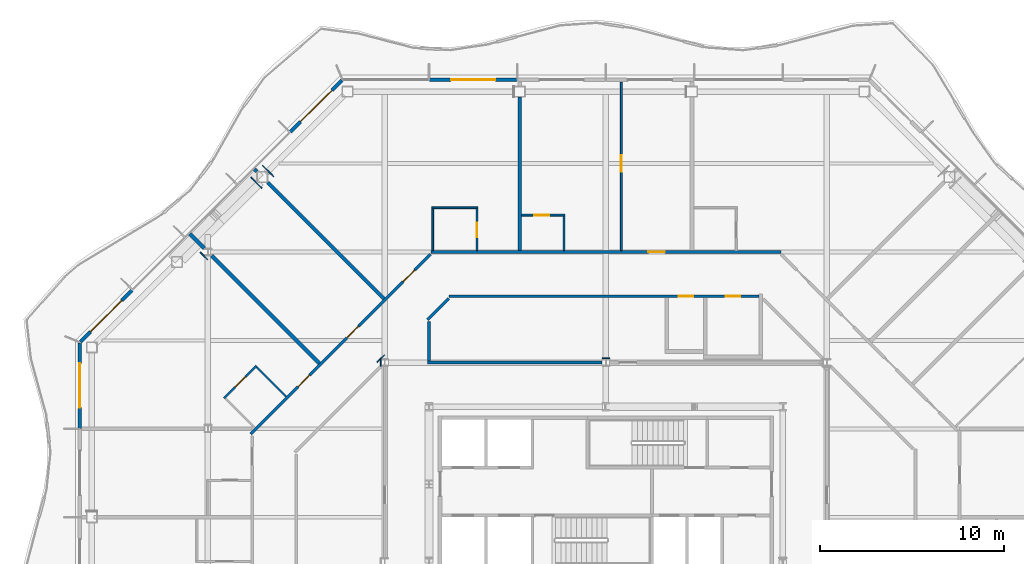
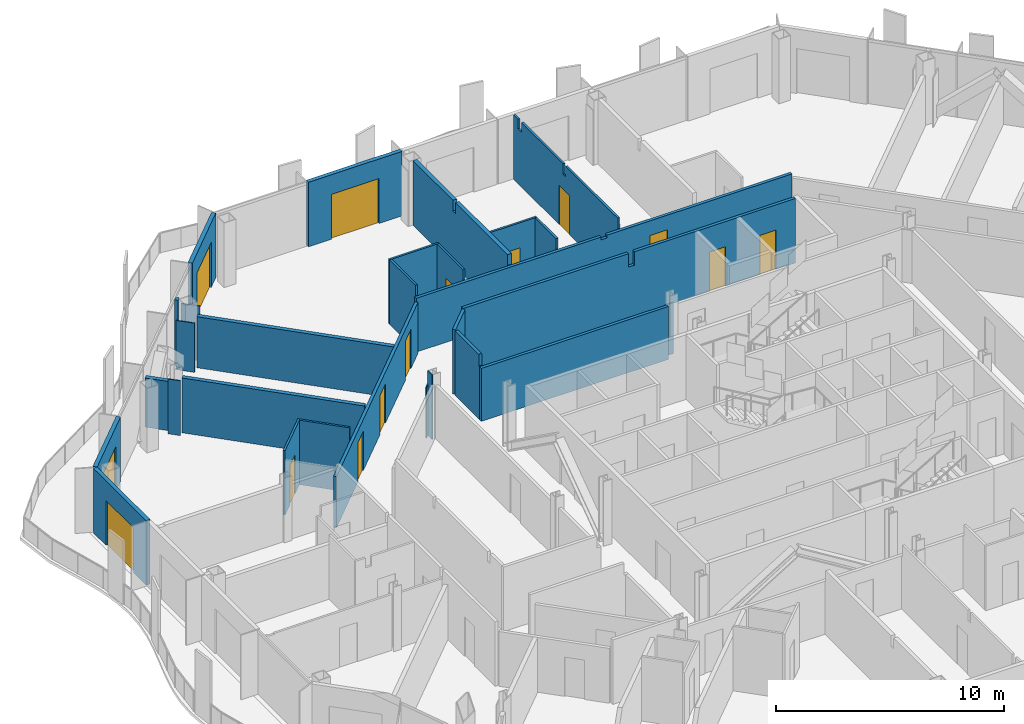
# One storey, part 12 of 21: 29 walls, 14 doors, 14 openings.
"""IFC4 building model written with IfcOpenShell, lengths in metres."""

from ifc_helpers import new_model, si_unit, direction, frame, frame_2d, origin, place, context, subcontext, project, spatial, polyline, rectangle, outline, extrude, material, layer, layer_set, type_object, element, fill, save


model = new_model("IFC4")

# Units and contexts
model_context = context("Model", 3, precision=1e-05, world=origin(), true_north=direction((0.0, 1.0)))
body_context = subcontext(model_context, "Body", "Model", "MODEL_VIEW")
ifc_project = project(units=[si_unit("LENGTHUNIT", "METRE"), si_unit("AREAUNIT", "SQUARE_METRE"), si_unit("VOLUMEUNIT", "CUBIC_METRE"), si_unit("PLANEANGLEUNIT", "RADIAN"), si_unit("MASSUNIT", "GRAM", prefix="KILO")], contexts=[model_context])

# Site, building, storey
site_placement = place(None, origin())
site = spatial("IfcSite", under=ifc_project, at=site_placement, CompositionType="ELEMENT")
building_placement = place(site_placement, origin())
building = spatial("IfcBuilding", under=site, at=building_placement, Name="Cairn Pilgrim Tower", CompositionType="ELEMENT")
storey_placement = place(building_placement, frame((0.0, 0.0, 154.199951171875)))
storey = spatial("IfcBuildingStorey", under=building, at=storey_placement, Name="L38", CompositionType="ELEMENT", Elevation=154.199951171875)

# Wall, opening, door
ifc_material_1 = material(Name="Bronze anodised aluminium insulated sandwich panel with mineral wool fill", Category="aluminium")
ifc_layer_1 = layer(ifc_material_1, 0.199951171875)
ifc_layer_set_1 = layer_set([ifc_layer_1], Name="BRONZE INFILL FRAME WALL 200")
wall_type_1 = type_object("IfcWallType", Name="BRONZE INFILL FRAME WALL 200", PredefinedType="NOTDEFINED", material=ifc_layer_set_1)
wall_1_placement = place(storey_placement, frame((2.3701171875, 28.550048828125, 0.0), z_axis=(0.0, 0.0, 1.0), x_axis=(-1.0, 0.0, 0.0)))
wall_1 = element("IfcWall", 1, at=wall_1_placement, inside=storey, type_object=wall_type_1, Name="Bronze infill frame wall IW-N5", PredefinedType="NOTDEFINED", context=body_context, shape_type="SweptSolid", body=[
    extrude(rectangle(XDim=4.740234375, YDim=0.199951171875, at=frame_2d((2.3701171875, 0.0))), origin(), (0.0, 0.0, 1.0), 3.449951171875),
])
opening_1_placement = place(wall_1_placement, frame((1.169677734375, 0.0, 0.0)))
opening_1 = element("IfcOpeningElement", 2, at=opening_1_placement, cuts=wall_1, Name="Opening 3811B", PredefinedType="OPENING", context=body_context, shape_type="SweptSolid", body=[
    extrude(rectangle(XDim=2.39990234375, YDim=2.39990234375, at=frame_2d((1.199951171875, 1.199951171875))), frame((0.0, 0.10986328125, 0.0), z_axis=(0.0, -1.0, 0.0), x_axis=(1.0, 0.0, 0.0)), (0.0, 0.0, 1.0), 0.219970703125),
])
ifc_material_2 = material(Name="Bronze anodised aluminium frame with tinted low-E glass", Category="aluminium")
door_type_1 = type_object("IfcDoorType", Name="BALCONY SLIDING DOOR 2400x2400", OperationType="DOUBLE_DOOR_SLIDING", PredefinedType="DOOR", material=ifc_material_2)
door_1_placement = place(opening_1_placement, origin())
door_1 = element("IfcDoor", 3, at=door_1_placement, inside=storey, type_object=door_type_1, Name="Balcony sliding door 3811B", OperationType="SINGLE_SWING_LEFT", OverallHeight=2.39990234375, OverallWidth=2.39990234375, PredefinedType="DOOR", context=body_context, shape_type="SweptSolid", body=[
    extrude(rectangle(XDim=2.39990234375, YDim=2.39990234375, at=frame_2d((1.199951171875, 1.199951171875))), frame((0.0, 0.02490234375, 0.0), z_axis=(0.0, -1.0, 0.0), x_axis=(1.0, 0.0, 0.0)), (0.0, 0.0, 1.0), 0.050048828125),
])
fill(opening_1, door_1)

wall_2_placement = place(storey_placement, frame((-7.124755859375, 28.521728515625, 0.0), z_axis=(0.0, 0.0, 1.0), x_axis=(-0.707106781187, -0.707106781187, 0.0)))
wall_2 = element("IfcWall", 4, at=wall_2_placement, inside=storey, type_object=wall_type_1, Name="Bronze infill frame wall IW-NW1", PredefinedType="NOTDEFINED", context=body_context, shape_type="SweptSolid", body=[
    extrude(rectangle(XDim=3.961669921875, YDim=0.199951171875, at=frame_2d((1.98095703125, 0.0))), origin(), (0.0, 0.0, 1.0), 3.449951171875),
])
opening_2_placement = place(wall_2_placement, frame((0.775390625, 0.0, 0.0)))
opening_2 = element("IfcOpeningElement", 5, at=opening_2_placement, cuts=wall_2, Name="Opening 3811B2", PredefinedType="OPENING", context=body_context, shape_type="SweptSolid", body=[
    extrude(rectangle(XDim=2.39990234375, YDim=2.39990234375, at=frame_2d((1.199951171875, 1.199951171875))), frame((0.0, 0.10986328125, 0.0), z_axis=(0.0, -1.0, 0.0), x_axis=(1.0, 0.0, 0.0)), (0.0, 0.0, 1.0), 0.219970703125),
])
door_2_placement = place(opening_2_placement, origin())
door_2 = element("IfcDoor", 6, at=door_2_placement, inside=storey, type_object=door_type_1, Name="Balcony sliding door 3811B2", OperationType="SINGLE_SWING_LEFT", OverallHeight=2.39990234375, OverallWidth=2.39990234375, PredefinedType="DOOR", context=body_context, shape_type="SweptSolid", body=[
    extrude(rectangle(XDim=2.39990234375, YDim=2.39990234375, at=frame_2d((1.199951171875, 1.199951171875))), frame((0.0, 0.02490234375, 0.0), z_axis=(0.0, -1.0, 0.0), x_axis=(1.0, 0.0, 0.0)), (0.0, 0.0, 1.0), 0.050048828125),
])
fill(opening_2, door_2)

wall_3_placement = place(storey_placement, frame((-18.5205078125, 17.1259765625, 0.0), z_axis=(0.0, 0.0, 1.0), x_axis=(-0.707106781187, -0.707106781187, 0.0)))
wall_3 = element("IfcWall", 7, at=wall_3_placement, inside=storey, type_object=wall_type_1, Name="Bronze infill frame wall IW-NW5", PredefinedType="NOTDEFINED", context=body_context, shape_type="SweptSolid", body=[
    extrude(rectangle(XDim=3.961669921875, YDim=0.199951171875, at=frame_2d((1.98095703125, 0.0))), origin(), (0.0, 0.0, 1.0), 3.449951171875),
])
opening_3_placement = place(wall_3_placement, frame((0.785888671875, 0.0, 0.0)))
opening_3 = element("IfcOpeningElement", 8, at=opening_3_placement, cuts=wall_3, Name="Opening 3813B2", PredefinedType="OPENING", context=body_context, shape_type="SweptSolid", body=[
    extrude(rectangle(XDim=2.39990234375, YDim=2.39990234375, at=frame_2d((1.199951171875, 1.199951171875))), frame((0.0, 0.10986328125, 0.0), z_axis=(0.0, -1.0, 0.0), x_axis=(1.0, 0.0, 0.0)), (0.0, 0.0, 1.0), 0.219970703125),
])
door_3_placement = place(opening_3_placement, origin())
door_3 = element("IfcDoor", 9, at=door_3_placement, inside=storey, type_object=door_type_1, Name="Balcony sliding door 3813B2", OperationType="SINGLE_SWING_LEFT", OverallHeight=2.39990234375, OverallWidth=2.39990234375, PredefinedType="DOOR", context=body_context, shape_type="SweptSolid", body=[
    extrude(rectangle(XDim=2.39990234375, YDim=2.39990234375, at=frame_2d((1.199951171875, 1.199951171875))), frame((0.0, 0.02490234375, 0.0), z_axis=(0.0, -1.0, 0.0), x_axis=(1.0, 0.0, 0.0)), (0.0, 0.0, 1.0), 0.050048828125),
])
fill(opening_3, door_3)

wall_4_placement = place(storey_placement, frame((-21.35009765625, 14.25634765625, 0.0), z_axis=(0.0, 0.0, 1.0), x_axis=(0.0, -1.0, 0.0)))
wall_4 = element("IfcWall", 10, at=wall_4_placement, inside=storey, type_object=wall_type_1, Name="Bronze infill frame wall IW-W1", PredefinedType="NOTDEFINED", context=body_context, shape_type="SweptSolid", body=[
    extrude(rectangle(XDim=4.62646484375, YDim=0.199951171875, at=frame_2d((2.313232421875, 0.0))), origin(), (0.0, 0.0, 1.0), 3.449951171875),
])
opening_4_placement = place(wall_4_placement, frame((1.1083984375, 0.0, 0.0)))
opening_4 = element("IfcOpeningElement", 11, at=opening_4_placement, cuts=wall_4, Name="Opening 3813B", PredefinedType="OPENING", context=body_context, shape_type="SweptSolid", body=[
    extrude(rectangle(XDim=2.39990234375, YDim=2.39990234375, at=frame_2d((1.199951171875, 1.199951171875))), frame((0.0, 0.10986328125, 0.0), z_axis=(0.0, -1.0, 0.0), x_axis=(1.0, 0.0, 0.0)), (0.0, 0.0, 1.0), 0.219970703125),
])
door_4_placement = place(opening_4_placement, origin())
door_4 = element("IfcDoor", 12, at=door_4_placement, inside=storey, type_object=door_type_1, Name="Balcony sliding door 3813B", OperationType="SINGLE_SWING_LEFT", OverallHeight=2.39990234375, OverallWidth=2.39990234375, PredefinedType="DOOR", context=body_context, shape_type="SweptSolid", body=[
    extrude(rectangle(XDim=2.39990234375, YDim=2.39990234375, at=frame_2d((1.199951171875, 1.199951171875))), frame((0.0, 0.02490234375, 0.0), z_axis=(0.0, -1.0, 0.0), x_axis=(1.0, 0.0, 0.0)), (0.0, 0.0, 1.0), 0.050048828125),
])
fill(opening_4, door_4)

ifc_material_3 = material(Name="Gypsum partition")
ifc_layer_2 = layer(ifc_material_3, 0.10009765625)
ifc_layer_set_2 = layer_set([ifc_layer_2], Name="PARTITION 100 DRYWALL")
wall_type_2 = type_object("IfcWallType", Name="PARTITION 100 DRYWALL", PredefinedType="PARTITIONING", material=ifc_layer_set_2)
wall_5_placement = place(storey_placement, frame((-13.5263671875, 11.26171875, 0.0), z_axis=(0.0, 0.0, 1.0), x_axis=(0.707106781187, 0.707106781187, 0.0)))
wall_5 = element("IfcWall", 13, at=wall_5_placement, inside=storey, type_object=wall_type_2, Name="PARTITION W076", PredefinedType="PARTITIONING", context=body_context, shape_type="SweptSolid", body=[
    extrude(rectangle(XDim=2.499755859375, YDim=0.10009765625, at=frame_2d((1.25, 0.0))), origin(), (0.0, 0.0, 1.0), 3.449951171875),
])
opening_5_placement = place(wall_5_placement, frame((0.849853515625, 0.0, 0.0)))
opening_5 = element("IfcOpeningElement", 14, at=opening_5_placement, cuts=wall_5, Name="Opening 3813A", PredefinedType="OPENING", context=body_context, shape_type="SweptSolid", body=[
    extrude(rectangle(XDim=0.800048828125, YDim=2.10009765625, at=frame_2d((0.39990234375, 1.050048828125))), frame((0.0, 0.06005859375, 0.0), z_axis=(0.0, -1.0, 0.0), x_axis=(1.0, 0.0, 0.0)), (0.0, 0.0, 1.0), 0.1201171875),
])
ifc_material_4 = material(Name="Timber door leaf", Category="wood")
door_type_2 = type_object("IfcDoorType", Name="WC DOOR 800x2100", OperationType="NOTDEFINED", PredefinedType="DOOR", material=ifc_material_4)
door_5_placement = place(opening_5_placement, origin())
door_5 = element("IfcDoor", 15, at=door_5_placement, inside=storey, type_object=door_type_2, Name="DOOR 3813A", OperationType="SINGLE_SWING_RIGHT", OverallHeight=2.10009765625, OverallWidth=0.800048828125, PredefinedType="DOOR", context=body_context, shape_type="SweptSolid", body=[
    extrude(rectangle(XDim=0.800048828125, YDim=2.10009765625, at=frame_2d((0.39990234375, 1.050048828125))), frame((0.0, 0.02490234375, 0.0), z_axis=(0.0, -1.0, 0.0), x_axis=(1.0, 0.0, 0.0)), (0.0, 0.0, 1.0), 0.050048828125),
])
fill(opening_5, door_5)

# Walls
wall_6_placement = place(storey_placement, frame((-10.14990234375, 11.35009765625, 0.0), z_axis=(0.0, 0.0, 1.0), x_axis=(-0.707160441348, 0.707053116953, 0.0)))
element("IfcWall", 16, at=wall_6_placement, inside=storey, type_object=wall_type_2, Name="PARTITION W077", PredefinedType="PARTITIONING", context=body_context, shape_type="SweptSolid", body=[
    extrude(rectangle(XDim=2.27490234375, YDim=0.10009765625, at=frame_2d((1.137451171875, 0.0))), origin(), (0.0, 0.0, 1.0), 3.449951171875),
])
wall_7_placement = place(storey_placement, frame((-2.194091796875, 19.27490234375, 0.0), z_axis=(0.0, 0.0, 1.0), x_axis=(0.0, 1.0, 0.0)))
element("IfcWall", 17, at=wall_7_placement, inside=storey, type_object=wall_type_2, Name="PARTITION W096", PredefinedType="PARTITIONING", context=body_context, shape_type="SweptSolid", body=[
    extrude(outline(polyline([(0.0, 0.0), (2.275146484375, 0.0), (2.27490234375, 3.449951171875), (0.030029296875, 3.449951171875), (0.028076171875, 2.880126953125), (0.0, 2.880126953125), (0.0, 0.0)])), frame((0.0, 0.050048828125, 0.0), z_axis=(0.0, -1.0, 0.0), x_axis=(1.0, 0.0, 0.0)), (0.0, 0.0, 1.0), 0.10009765625),
])

# Wall, opening, door
wall_8_placement = place(storey_placement, frame((0.2060546875, 19.27490234375, 0.0), z_axis=(0.0, 0.0, 1.0), x_axis=(0.0, 1.0, 0.0)))
wall_8 = element("IfcWall", 18, at=wall_8_placement, inside=storey, type_object=wall_type_2, Name="PARTITION W097", PredefinedType="PARTITIONING", context=body_context, shape_type="SweptSolid", body=[
    extrude(outline(polyline([(0.0, 0.0), (2.275146484375, 0.0), (2.27490234375, 3.449951171875), (0.030029296875, 3.449951171875), (0.028076171875, 2.880126953125), (0.0, 2.880126953125), (0.0, 0.0)])), frame((0.0, 0.050048828125, 0.0), z_axis=(0.0, -1.0, 0.0), x_axis=(1.0, 0.0, 0.0)), (0.0, 0.0, 1.0), 0.10009765625),
])
opening_6_placement = place(wall_8_placement, frame((0.72509765625, 0.0, 0.0)))
opening_6 = element("IfcOpeningElement", 19, at=opening_6_placement, cuts=wall_8, Name="Opening 3811A", PredefinedType="OPENING", context=body_context, shape_type="SweptSolid", body=[
    extrude(rectangle(XDim=0.800048828125, YDim=2.10009765625, at=frame_2d((0.39990234375, 1.050048828125))), frame((0.0, 0.06005859375, 0.0), z_axis=(0.0, -1.0, 0.0), x_axis=(1.0, 0.0, 0.0)), (0.0, 0.0, 1.0), 0.1201171875),
])
door_6_placement = place(opening_6_placement, frame((0.800048828125, 0.0, 0.0), z_axis=(0.0, 0.0, 1.0), x_axis=(-1.0, 0.0, 0.0)))
door_6 = element("IfcDoor", 20, at=door_6_placement, inside=storey, type_object=door_type_2, Name="DOOR 3811A", OperationType="SINGLE_SWING_RIGHT", OverallHeight=2.10009765625, OverallWidth=0.800048828125, PredefinedType="DOOR", context=body_context, shape_type="SweptSolid", body=[
    extrude(rectangle(XDim=0.800048828125, YDim=2.10009765625, at=frame_2d((0.39990234375, 1.050048828125))), frame((0.0, 0.02490234375, 0.0), z_axis=(0.0, -1.0, 0.0), x_axis=(1.0, 0.0, 0.0)), (0.0, 0.0, 1.0), 0.050048828125),
])
fill(opening_6, door_6)

# Wall
wall_9_placement = place(storey_placement, frame((4.924072265625, 19.27490234375, 0.0), z_axis=(0.0, 0.0, 1.0), x_axis=(0.0, 1.0, 0.0)))
element("IfcWall", 21, at=wall_9_placement, inside=storey, type_object=wall_type_2, Name="PARTITION W099", PredefinedType="PARTITIONING", context=body_context, shape_type="SweptSolid", body=[
    extrude(outline(polyline([(0.0, 0.0), (1.875, 0.0), (1.875, 3.449951171875), (0.030029296875, 3.449951171875), (0.028076171875, 2.880126953125), (0.0, 2.880126953125), (0.0, 0.0)])), frame((0.0, 0.050048828125, 0.0), z_axis=(0.0, -1.0, 0.0), x_axis=(1.0, 0.0, 0.0)), (0.0, 0.0, 1.0), 0.10009765625),
])

# Wall, opening, door
wall_10_placement = place(storey_placement, frame((8.0419921875, 19.27490234375, 0.0), z_axis=(0.0, 0.0, 1.0), x_axis=(0.0, 1.0, 0.0)))
wall_10 = element("IfcWall", 22, at=wall_10_placement, inside=storey, type_object=wall_type_2, Name="PARTITION W100", PredefinedType="PARTITIONING", context=body_context, shape_type="SweptSolid", body=[
    extrude(outline(polyline([(0.0, 0.0), (9.14501953125, 0.0), (9.14501953125, 3.449951171875), (8.77490234375, 3.449951171875), (8.77294921875, 2.929931640625), (8.47509765625, 2.929931640625), (8.472900390625, 3.449951171875), (4.830078125, 3.449951171875), (4.827880859375, 2.880126953125), (4.6201171875, 2.880126953125), (4.617919921875, 3.449951171875), (0.030029296875, 3.449951171875), (0.028076171875, 2.880126953125), (0.0, 2.880126953125), (0.0, 0.0)])), frame((0.0, 0.050048828125, 0.0), z_axis=(0.0, -1.0, 0.0), x_axis=(1.0, 0.0, 0.0)), (0.0, 0.0, 1.0), 0.10009765625),
])
opening_7_placement = place(wall_10_placement, frame((4.27490234375, 0.0, 0.0)))
opening_7 = element("IfcOpeningElement", 23, at=opening_7_placement, cuts=wall_10, Name="Opening 3810C", PredefinedType="OPENING", context=body_context, shape_type="SweptSolid", body=[
    extrude(rectangle(XDim=0.89990234375, YDim=2.10009765625, at=frame_2d((0.449951171875, 1.050048828125))), frame((0.0, 0.06005859375, 0.0), z_axis=(0.0, -1.0, 0.0), x_axis=(1.0, 0.0, 0.0)), (0.0, 0.0, 1.0), 0.1201171875),
])
door_type_3 = type_object("IfcDoorType", Name="SERVICE DOOR 900x2100", OperationType="NOTDEFINED", PredefinedType="DOOR", material=ifc_material_4)
door_7_placement = place(opening_7_placement, frame((0.89990234375, 0.0, 0.0), z_axis=(0.0, 0.0, 1.0), x_axis=(-1.0, 0.0, 0.0)))
door_7 = element("IfcDoor", 24, at=door_7_placement, inside=storey, type_object=door_type_3, Name="DOOR 3810C", OperationType="SINGLE_SWING_RIGHT", OverallHeight=2.10009765625, OverallWidth=0.89990234375, PredefinedType="DOOR", context=body_context, shape_type="SweptSolid", body=[
    extrude(rectangle(XDim=0.89990234375, YDim=2.10009765625, at=frame_2d((0.449951171875, 1.050048828125))), frame((0.0, 0.02490234375, 0.0), z_axis=(0.0, -1.0, 0.0), x_axis=(1.0, 0.0, 0.0)), (0.0, 0.0, 1.0), 0.050048828125),
])
fill(opening_7, door_7)

wall_11_placement = place(storey_placement, frame((2.6240234375, 21.199951171875, 0.0), z_axis=(0.0, 0.0, 1.0), x_axis=(1.0, 0.0, 0.0)))
wall_11 = element("IfcWall", 25, at=wall_11_placement, inside=storey, type_object=wall_type_2, Name="PARTITION W104", PredefinedType="PARTITIONING", context=body_context, shape_type="SweptSolid", body=[
    extrude(rectangle(XDim=2.35009765625, YDim=0.10009765625, at=frame_2d((1.175048828125, 0.0))), origin(), (0.0, 0.0, 1.0), 3.449951171875),
])
opening_8_placement = place(wall_11_placement, frame((0.699951171875, 0.0, 0.0)))
opening_8 = element("IfcOpeningElement", 26, at=opening_8_placement, cuts=wall_11, Name="Opening 3810A", PredefinedType="OPENING", context=body_context, shape_type="SweptSolid", body=[
    extrude(rectangle(XDim=0.800048828125, YDim=2.10009765625, at=frame_2d((0.39990234375, 1.050048828125))), frame((0.0, 0.06005859375, 0.0), z_axis=(0.0, -1.0, 0.0), x_axis=(1.0, 0.0, 0.0)), (0.0, 0.0, 1.0), 0.1201171875),
])
door_8_placement = place(opening_8_placement, origin())
door_8 = element("IfcDoor", 27, at=door_8_placement, inside=storey, type_object=door_type_2, Name="DOOR 3810A", OperationType="SINGLE_SWING_RIGHT", OverallHeight=2.10009765625, OverallWidth=0.800048828125, PredefinedType="DOOR", context=body_context, shape_type="SweptSolid", body=[
    extrude(rectangle(XDim=0.800048828125, YDim=2.10009765625, at=frame_2d((0.39990234375, 1.050048828125))), frame((0.0, 0.02490234375, 0.0), z_axis=(0.0, -1.0, 0.0), x_axis=(1.0, 0.0, 0.0)), (0.0, 0.0, 1.0), 0.050048828125),
])
fill(opening_8, door_8)

# Wall
wall_12_placement = place(storey_placement, frame((-2.243896484375, 21.60009765625, 0.0), z_axis=(0.0, 0.0, 1.0), x_axis=(1.0, 0.0, 0.0)))
element("IfcWall", 28, at=wall_12_placement, inside=storey, type_object=wall_type_2, Name="PARTITION W105", PredefinedType="PARTITIONING", context=body_context, shape_type="SweptSolid", body=[
    extrude(rectangle(XDim=2.5, YDim=0.10009765625, at=frame_2d((1.25, 0.0))), origin(), (0.0, 0.0, 1.0), 3.449951171875),
])

# Wall, openings, doors
ifc_layer_3 = layer(ifc_material_3, 0.14990234375)
ifc_layer_set_3 = layer_set([ifc_layer_3], Name="PARTITION 150 DRYWALL EI 60")
wall_type_3 = type_object("IfcWallType", Name="PARTITION 150 DRYWALL EI 60", PredefinedType="PARTITIONING", material=ifc_layer_set_3)
wall_13_placement = place(storey_placement, frame((-12.074951171875, 9.319091796875, 0.0), z_axis=(0.0, 0.0, 1.0), x_axis=(0.707106781187, 0.707106781187, 0.0)))
wall_13 = element("IfcWall", 29, at=wall_13_placement, inside=storey, type_object=wall_type_3, Name="PARTITION W068", PredefinedType="PARTITIONING", context=body_context, shape_type="SweptSolid", body=[
    extrude(rectangle(XDim=13.792724609375, YDim=0.14990234375, at=frame_2d((6.896484375, 0.0))), origin(), (0.0, 0.0, 1.0), 2.72998046875),
])
opening_9_placement = place(wall_13_placement, frame((11.691650390625, 0.0, 0.0)))
opening_9 = element("IfcOpeningElement", 30, at=opening_9_placement, cuts=wall_13, Name="Opening 3811", PredefinedType="OPENING", context=body_context, shape_type="SweptSolid", body=[
    extrude(rectangle(XDim=0.89990234375, YDim=2.10009765625, at=frame_2d((0.449951171875, 1.050048828125))), frame((0.0, 0.0849609375, 0.0), z_axis=(0.0, -1.0, 0.0), x_axis=(1.0, 0.0, 0.0)), (0.0, 0.0, 1.0), 0.169921875),
])
opening_10_placement = place(wall_13_placement, frame((7.3759765625, 0.0, 0.0)))
opening_10 = element("IfcOpeningElement", 31, at=opening_10_placement, cuts=wall_13, Name="Opening 3812", PredefinedType="OPENING", context=body_context, shape_type="SweptSolid", body=[
    extrude(rectangle(XDim=0.89990234375, YDim=2.10009765625, at=frame_2d((0.449951171875, 1.050048828125))), frame((0.0, 0.0849609375, 0.0), z_axis=(0.0, -1.0, 0.0), x_axis=(1.0, 0.0, 0.0)), (0.0, 0.0, 1.0), 0.169921875),
])
opening_11_placement = place(wall_13_placement, frame((3.620361328125, 0.0, 0.0)))
opening_11 = element("IfcOpeningElement", 32, at=opening_11_placement, cuts=wall_13, Name="Opening 3813", PredefinedType="OPENING", context=body_context, shape_type="SweptSolid", body=[
    extrude(rectangle(XDim=0.89990234375, YDim=2.10009765625, at=frame_2d((0.449951171875, 1.050048828125))), frame((0.0, 0.0849609375, 0.0), z_axis=(0.0, -1.0, 0.0), x_axis=(1.0, 0.0, 0.0)), (0.0, 0.0, 1.0), 0.169921875),
])
door_type_4 = type_object("IfcDoorType", Name="ROOM DOOR 900x2100 FD30S", OperationType="NOTDEFINED", PredefinedType="DOOR", material=ifc_material_4)
door_9_placement = place(opening_9_placement, origin())
door_9 = element("IfcDoor", 33, at=door_9_placement, inside=storey, type_object=door_type_4, Name="DOOR 3811", OperationType="SINGLE_SWING_RIGHT", OverallHeight=2.10009765625, OverallWidth=0.89990234375, PredefinedType="DOOR", context=body_context, shape_type="SweptSolid", body=[
    extrude(rectangle(XDim=0.89990234375, YDim=2.10009765625, at=frame_2d((0.449951171875, 1.050048828125))), frame((0.0, 0.02490234375, 0.0), z_axis=(0.0, -1.0, 0.0), x_axis=(1.0, 0.0, 0.0)), (0.0, 0.0, 1.0), 0.050048828125),
])
fill(opening_9, door_9)
door_10_placement = place(opening_11_placement, origin())
door_10 = element("IfcDoor", 34, at=door_10_placement, inside=storey, type_object=door_type_4, Name="DOOR 3813", OperationType="SINGLE_SWING_RIGHT", OverallHeight=2.10009765625, OverallWidth=0.89990234375, PredefinedType="DOOR", context=body_context, shape_type="SweptSolid", body=[
    extrude(rectangle(XDim=0.89990234375, YDim=2.10009765625, at=frame_2d((0.449951171875, 1.050048828125))), frame((0.0, 0.02490234375, 0.0), z_axis=(0.0, -1.0, 0.0), x_axis=(1.0, 0.0, 0.0)), (0.0, 0.0, 1.0), 0.050048828125),
])
fill(opening_11, door_10)
door_type_5 = type_object("IfcDoorType", Name="SERVICE DOOR 900x2100 FD30S", OperationType="NOTDEFINED", PredefinedType="DOOR", material=ifc_material_4)
door_11_placement = place(opening_10_placement, origin())
door_11 = element("IfcDoor", 35, at=door_11_placement, inside=storey, type_object=door_type_5, Name="DOOR 3812", OperationType="SINGLE_SWING_RIGHT", OverallHeight=2.10009765625, OverallWidth=0.89990234375, PredefinedType="DOOR", context=body_context, shape_type="SweptSolid", body=[
    extrude(rectangle(XDim=0.89990234375, YDim=2.10009765625, at=frame_2d((0.449951171875, 1.050048828125))), frame((0.0, 0.02490234375, 0.0), z_axis=(0.0, -1.0, 0.0), x_axis=(1.0, 0.0, 0.0)), (0.0, 0.0, 1.0), 0.050048828125),
])
fill(opening_10, door_11)

# Walls
wall_14_placement = place(storey_placement, frame((-2.47509765625, 13.199951171875, 0.0), z_axis=(0.0, 0.0, 1.0), x_axis=(1.0, 0.0, 0.0)))
element("IfcWall", 36, at=wall_14_placement, inside=storey, type_object=wall_type_3, Name="PARTITION W080", PredefinedType="PARTITIONING", context=body_context, shape_type="SweptSolid", body=[
    extrude(rectangle(XDim=9.4755859375, YDim=0.14990234375, at=frame_2d((4.73779296875, 0.0))), origin(), (0.0, 0.0, 1.0), 2.830078125),
])
wall_15_placement = place(storey_placement, frame((-2.39990234375, 13.27490234375, 0.0), z_axis=(0.0, 0.0, 1.0), x_axis=(0.0, 1.0, 0.0)))
element("IfcWall", 37, at=wall_15_placement, inside=storey, type_object=wall_type_3, Name="PARTITION W082", PredefinedType="PARTITIONING", context=body_context, shape_type="SweptSolid", body=[
    extrude(outline(polyline([(0.0, 0.0), (2.14404296875, 0.0), (2.143798828125, 3.449951171875), (0.074951171875, 3.449951171875), (0.072998046875, 2.830078125), (0.0, 2.830078125), (0.0, 0.0)])), frame((0.0, 0.074951171875, 0.0), z_axis=(0.0, -1.0, 0.0), x_axis=(1.0, 0.0, 0.0)), (0.0, 0.0, 1.0), 0.14990234375),
])
wall_16_placement = place(storey_placement, frame((-2.47509765625, 15.52490234375, 0.0), z_axis=(0.0, 0.0, 1.0), x_axis=(0.707106781187, 0.707106781187, 0.0)))
element("IfcWall", 38, at=wall_16_placement, inside=storey, type_object=wall_type_3, Name="PARTITION W090", PredefinedType="PARTITIONING", context=body_context, shape_type="SweptSolid", body=[
    extrude(rectangle(XDim=1.622314453125, YDim=0.14990234375, at=frame_2d((0.81103515625, 0.0))), origin(), (0.0, 0.0, 1.0), 3.449951171875),
])

# Wall, openings, doors
wall_17_placement = place(storey_placement, frame((-1.30615234375, 16.800048828125, 0.0), z_axis=(0.0, 0.0, 1.0), x_axis=(1.0, 0.0, 0.0)))
wall_17 = element("IfcWall", 39, at=wall_17_placement, inside=storey, type_object=wall_type_3, Name="PARTITION W093", PredefinedType="PARTITIONING", context=body_context, shape_type="SweptSolid", body=[
    extrude(outline(polyline([(0.0, 0.0), (16.80615234375, 0.0), (16.80615234375, 3.449951171875), (8.656005859375, 3.449951171875), (8.654052734375, 2.72998046875), (8.356201171875, 2.72998046875), (8.35400390625, 3.449951171875), (0.0, 3.449951171875), (0.0, 0.0)])), frame((0.0, 0.074951171875, 0.0), z_axis=(0.0, -1.0, 0.0), x_axis=(1.0, 0.0, 0.0)), (0.0, 0.0, 1.0), 0.14990234375),
])
opening_12_placement = place(wall_17_placement, frame((15.006103515625, 0.0, 0.0)))
opening_12 = element("IfcOpeningElement", 40, at=opening_12_placement, cuts=wall_17, Name="Opening 3823", PredefinedType="OPENING", context=body_context, shape_type="SweptSolid", body=[
    extrude(rectangle(XDim=0.800048828125, YDim=2.10009765625, at=frame_2d((0.39990234375, 1.050048828125))), frame((0.0, 0.0849609375, 0.0), z_axis=(0.0, -1.0, 0.0), x_axis=(1.0, 0.0, 0.0)), (0.0, 0.0, 1.0), 0.169921875),
])
opening_13_placement = place(wall_17_placement, frame((12.4560546875, 0.0, 0.0)))
opening_13 = element("IfcOpeningElement", 41, at=opening_13_placement, cuts=wall_17, Name="Opening 3824", PredefinedType="OPENING", context=body_context, shape_type="SweptSolid", body=[
    extrude(rectangle(XDim=0.800048828125, YDim=2.10009765625, at=frame_2d((0.39990234375, 1.050048828125))), frame((0.0, 0.0849609375, 0.0), z_axis=(0.0, -1.0, 0.0), x_axis=(1.0, 0.0, 0.0)), (0.0, 0.0, 1.0), 0.169921875),
])
door_type_6 = type_object("IfcDoorType", Name="WC DOOR 800x2100 FD30S", OperationType="NOTDEFINED", PredefinedType="DOOR", material=ifc_material_4)
door_12_placement = place(opening_12_placement, frame((0.800048828125, 0.0, 0.0), z_axis=(0.0, 0.0, 1.0), x_axis=(-1.0, 0.0, 0.0)))
door_12 = element("IfcDoor", 42, at=door_12_placement, inside=storey, type_object=door_type_6, Name="DOOR 3823", OperationType="SINGLE_SWING_LEFT", OverallHeight=2.10009765625, OverallWidth=0.800048828125, PredefinedType="DOOR", context=body_context, shape_type="SweptSolid", body=[
    extrude(rectangle(XDim=0.800048828125, YDim=2.10009765625, at=frame_2d((0.39990234375, 1.050048828125))), frame((0.0, 0.02490234375, 0.0), z_axis=(0.0, -1.0, 0.0), x_axis=(1.0, 0.0, 0.0)), (0.0, 0.0, 1.0), 0.050048828125),
])
fill(opening_12, door_12)
door_13_placement = place(opening_13_placement, frame((0.800048828125, 0.0, 0.0), z_axis=(0.0, 0.0, 1.0), x_axis=(-1.0, 0.0, 0.0)))
door_13 = element("IfcDoor", 43, at=door_13_placement, inside=storey, type_object=door_type_6, Name="DOOR 3824", OperationType="SINGLE_SWING_LEFT", OverallHeight=2.10009765625, OverallWidth=0.800048828125, PredefinedType="DOOR", context=body_context, shape_type="SweptSolid", body=[
    extrude(rectangle(XDim=0.800048828125, YDim=2.10009765625, at=frame_2d((0.39990234375, 1.050048828125))), frame((0.0, 0.02490234375, 0.0), z_axis=(0.0, -1.0, 0.0), x_axis=(1.0, 0.0, 0.0)), (0.0, 0.0, 1.0), 0.050048828125),
])
fill(opening_13, door_13)

# Wall, opening, door
wall_18_placement = place(storey_placement, frame((-2.300048828125, 19.199951171875, 0.0), z_axis=(0.0, 0.0, 1.0), x_axis=(1.0, 0.0, 0.0)))
wall_18 = element("IfcWall", 44, at=wall_18_placement, inside=storey, type_object=wall_type_3, Name="PARTITION W095", PredefinedType="PARTITIONING", context=body_context, shape_type="SweptSolid", body=[
    extrude(outline(polyline([(0.0, 0.0), (19.0, 0.0), (19.0, 2.880126953125), (9.650146484375, 2.880126953125), (9.648193359375, 2.72998046875), (9.35009765625, 2.72998046875), (9.34814453125, 2.880126953125), (0.0, 2.880126953125), (0.0, 0.0)])), frame((0.0, 0.074951171875, 0.0), z_axis=(0.0, -1.0, 0.0), x_axis=(1.0, 0.0, 0.0)), (0.0, 0.0, 1.0), 0.14990234375),
])
opening_14_placement = place(wall_18_placement, frame((11.80908203125, 0.0, 0.0)))
opening_14 = element("IfcOpeningElement", 45, at=opening_14_placement, cuts=wall_18, Name="Opening 3810", PredefinedType="OPENING", context=body_context, shape_type="SweptSolid", body=[
    extrude(rectangle(XDim=0.89990234375, YDim=2.10009765625, at=frame_2d((0.449951171875, 1.050048828125))), frame((0.0, 0.0849609375, 0.0), z_axis=(0.0, -1.0, 0.0), x_axis=(1.0, 0.0, 0.0)), (0.0, 0.0, 1.0), 0.169921875),
])
door_14_placement = place(opening_14_placement, origin())
door_14 = element("IfcDoor", 46, at=door_14_placement, inside=storey, type_object=door_type_4, Name="DOOR 3810", OperationType="SINGLE_SWING_RIGHT", OverallHeight=2.10009765625, OverallWidth=0.89990234375, PredefinedType="DOOR", context=body_context, shape_type="SweptSolid", body=[
    extrude(rectangle(XDim=0.89990234375, YDim=2.10009765625, at=frame_2d((0.449951171875, 1.050048828125))), frame((0.0, 0.02490234375, 0.0), z_axis=(0.0, -1.0, 0.0), x_axis=(1.0, 0.0, 0.0)), (0.0, 0.0, 1.0), 0.050048828125),
])
fill(opening_14, door_14)

# Walls
ifc_layer_4 = layer(ifc_material_3, 0.050048828125)
ifc_layer_set_4 = layer_set([ifc_layer_4], Name="PARTITION 50 DRYWALL EI 60")
wall_type_4 = type_object("IfcWallType", Name="PARTITION 50 DRYWALL EI 60", PredefinedType="PARTITIONING", material=ifc_layer_set_4)
wall_19_placement = place(storey_placement, frame((-5.0244140625, 13.00341796875, 0.0), z_axis=(0.0, 0.0, 1.0), x_axis=(0.0, 1.0, 0.0)))
element("IfcWall", 47, at=wall_19_placement, inside=storey, type_object=wall_type_4, Name="COLUMN CASING WC18", PredefinedType="PARTITIONING", context=body_context, shape_type="SweptSolid", body=[
    extrude(rectangle(XDim=0.39306640625, YDim=0.050048828125, at=frame_2d((0.196533203125, 0.0))), origin(), (0.0, 0.0, 1.0), 3.449951171875),
])
wall_20_placement = place(storey_placement, frame((-5.213623046875, 13.2177734375, 0.0), z_axis=(0.0, 0.0, 1.0), x_axis=(0.707106781187, 0.707106781187, 0.0)))
element("IfcWall", 48, at=wall_20_placement, inside=storey, type_object=wall_type_4, Name="COLUMN CASING WC25", PredefinedType="PARTITIONING", context=body_context, shape_type="SweptSolid", body=[
    extrude(rectangle(XDim=0.56005859375, YDim=0.050048828125, at=frame_2d((0.280029296875, 0.0))), origin(), (0.0, 0.0, 1.0), 2.72998046875),
])
wall_21_placement = place(storey_placement, frame((-14.417724609375, 18.786376953125, 0.0), z_axis=(0.0, 0.0, 1.0), x_axis=(-0.707106781187, 0.707106781187, 0.0)))
element("IfcWall", 49, at=wall_21_placement, inside=storey, type_object=wall_type_4, Name="COLUMN CASING WC31", PredefinedType="PARTITIONING", context=body_context, shape_type="SweptSolid", body=[
    extrude(rectangle(XDim=0.56005859375, YDim=0.050048828125, at=frame_2d((0.280029296875, 0.0))), origin(), (0.0, 0.0, 1.0), 2.929931640625),
])
wall_22_placement = place(storey_placement, frame((7.00048828125, 13.42138671875, 0.0), z_axis=(0.0, 0.0, 1.0), x_axis=(1.0, 0.0, 0.0)))
element("IfcWall", 50, at=wall_22_placement, inside=storey, type_object=wall_type_4, Name="COLUMN CASING WC32", PredefinedType="PARTITIONING", context=body_context, shape_type="SweptSolid", body=[
    extrude(rectangle(XDim=0.39892578125, YDim=0.050048828125, at=frame_2d((0.199462890625, 0.0))), origin(), (0.0, 0.0, 1.0), 2.72998046875),
])
wall_23_placement = place(storey_placement, frame((-11.46923828125, 22.657958984375, 0.0), z_axis=(0.0, 0.0, 1.0), x_axis=(-0.706962899457, 0.707250633645, 0.0)))
element("IfcWall", 51, at=wall_23_placement, inside=storey, type_object=wall_type_4, Name="COLUMN CASING WC34", PredefinedType="PARTITIONING", context=body_context, shape_type="SweptSolid", body=[
    extrude(rectangle(XDim=0.848388671875, YDim=0.050048828125, at=frame_2d((0.42431640625, 0.0))), origin(), (0.0, 0.0, 1.0), 2.630126953125),
])
wall_24_placement = place(storey_placement, frame((-10.833740234375, 23.29345703125, 0.0), z_axis=(0.0, 0.0, 1.0), x_axis=(-0.707250633645, 0.706962899457, 0.0)))
element("IfcWall", 52, at=wall_24_placement, inside=storey, type_object=wall_type_4, Name="COLUMN CASING WC35", PredefinedType="PARTITIONING", context=body_context, shape_type="SweptSolid", body=[
    extrude(rectangle(XDim=0.848388671875, YDim=0.050048828125, at=frame_2d((0.42431640625, 0.0))), origin(), (0.0, 0.0, 1.0), 2.929931640625),
])
ifc_layer_5 = layer(ifc_material_3, 0.199951171875)
ifc_layer_set_5 = layer_set([ifc_layer_5], Name="SHAFT WALL 200 GYPSUM EI 60")
wall_type_5 = type_object("IfcWallType", Name="SHAFT WALL 200 GYPSUM EI 60", PredefinedType="PARTITIONING", material=ifc_layer_set_5)
wall_25_placement = place(storey_placement, frame((-8.35009765625, 13.14990234375, 0.0), z_axis=(0.0, 0.0, 1.0), x_axis=(-0.707092030896, 0.707121531169, 0.0)))
element("IfcWall", 53, at=wall_25_placement, inside=storey, type_object=wall_type_5, Name="PARTITION W079", PredefinedType="PARTITIONING", context=body_context, shape_type="SweptSolid", body=[
    extrude(rectangle(XDim=8.27587890625, YDim=0.199951171875, at=frame_2d((4.137939453125, 0.0))), origin(), (0.0, 0.0, 1.0), 2.929931640625),
])
wall_26_placement = place(storey_placement, frame((-4.837890625, 16.662109375, 0.0), z_axis=(0.0, 0.0, 1.0), x_axis=(-0.707120452615, 0.707093109494, 0.0)))
element("IfcWall", 54, at=wall_26_placement, inside=storey, type_object=wall_type_5, Name="PARTITION W091", PredefinedType="PARTITIONING", context=body_context, shape_type="SweptSolid", body=[
    extrude(rectangle(XDim=8.9287109375, YDim=0.199951171875, at=frame_2d((4.46435546875, 0.0))), origin(), (0.0, 0.0, 1.0), 2.72998046875),
])
wall_27_placement = place(storey_placement, frame((2.52392578125, 19.27490234375, 0.0), z_axis=(0.0, 0.0, 1.0), x_axis=(0.0, 1.0, 0.0)))
element("IfcWall", 55, at=wall_27_placement, inside=storey, type_object=wall_type_5, Name="PARTITION W098", PredefinedType="PARTITIONING", context=body_context, shape_type="SweptSolid", body=[
    extrude(outline(polyline([(0.0, 0.0), (8.3251953125, 0.0), (8.324951171875, 3.449951171875), (4.830078125, 3.449951171875), (4.827880859375, 2.880126953125), (4.6201171875, 2.880126953125), (4.617919921875, 3.449951171875), (0.030029296875, 3.449951171875), (0.028076171875, 2.880126953125), (0.0, 2.880126953125), (0.0, 0.0)])), frame((0.0, 0.10009765625, 0.0), z_axis=(0.0, -1.0, 0.0), x_axis=(1.0, 0.0, 0.0)), (0.0, 0.0, 1.0), 0.199951171875),
])
wall_28_placement = place(storey_placement, frame((-14.597900390625, 19.39794921875, 0.0), z_axis=(0.0, 0.0, 1.0), x_axis=(-0.707106781187, 0.707106781187, 0.0)))
element("IfcWall", 56, at=wall_28_placement, inside=storey, type_object=wall_type_5, Name="PARTITION W103", PredefinedType="PARTITIONING", context=body_context, shape_type="SweptSolid", body=[
    extrude(rectangle(XDim=1.107177734375, YDim=0.199951171875, at=frame_2d((0.5537109375, 0.0))), origin(), (0.0, 0.0, 1.0), 2.630126953125),
])
wall_29_placement = place(storey_placement, frame((-11.751708984375, 23.57568359375, 0.0), z_axis=(0.0, 0.0, 1.0), x_axis=(-0.707106781187, 0.707106781187, 0.0)))
element("IfcWall", 57, at=wall_29_placement, inside=storey, type_object=wall_type_5, Name="PARTITION W107", PredefinedType="PARTITIONING", context=body_context, shape_type="SweptSolid", body=[
    extrude(rectangle(XDim=0.165771484375, YDim=0.199951171875, at=frame_2d((0.0830078125, 0.0))), origin(), (0.0, 0.0, 1.0), 3.449951171875),
])

save(model, "model.ifc")
